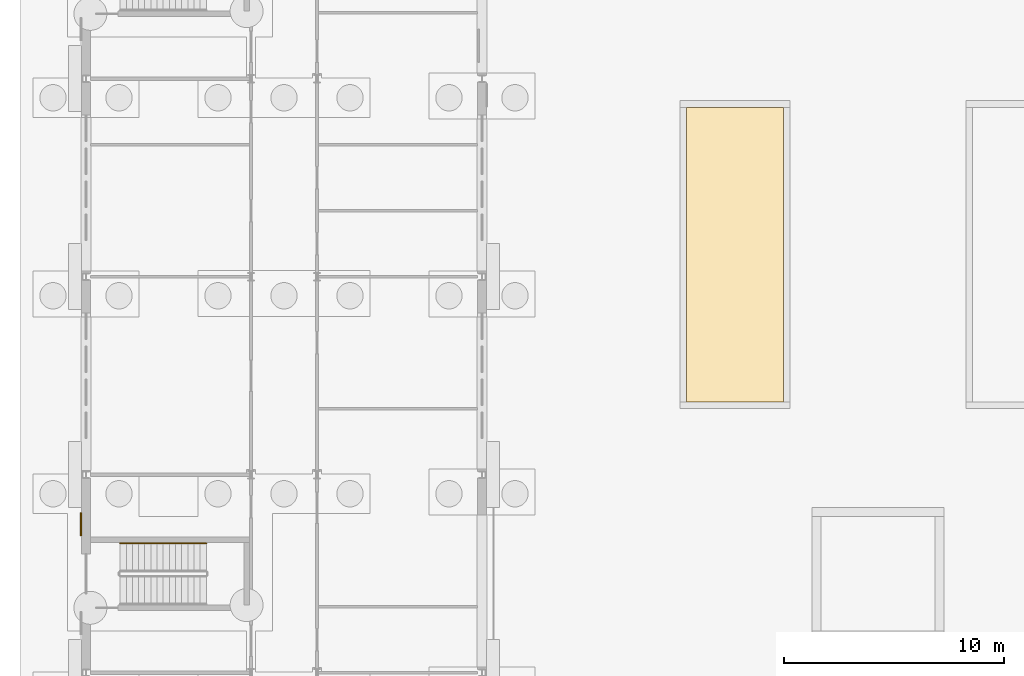
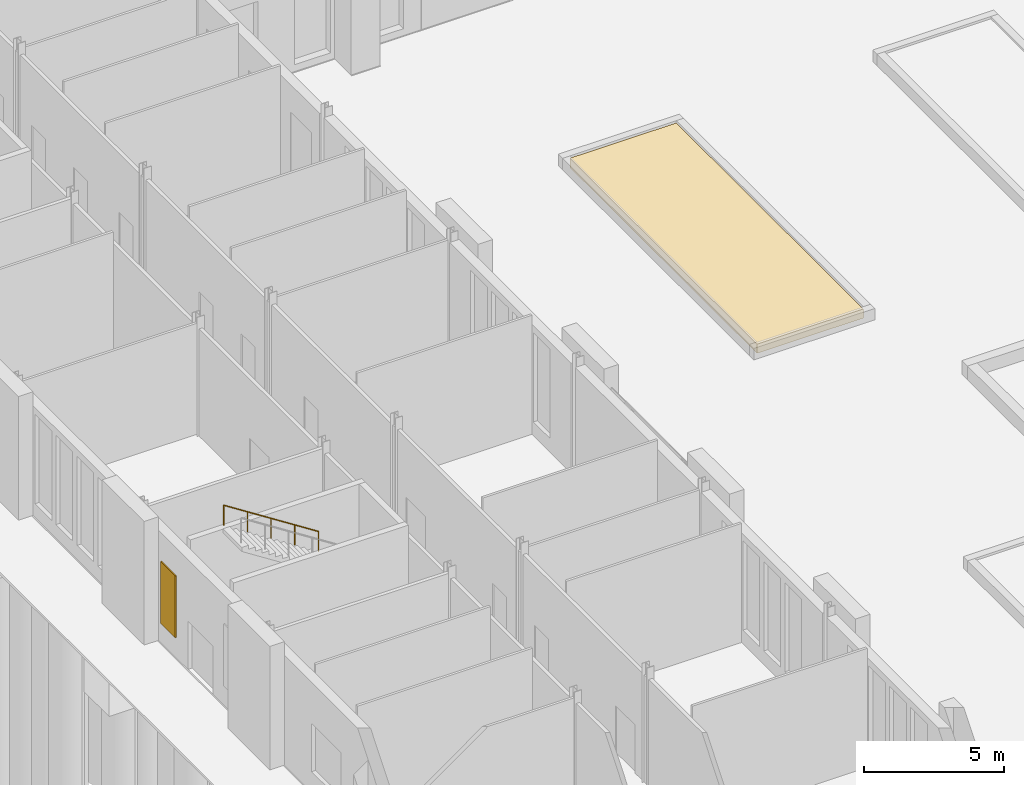
# One storey, part 137 of 168: 2 coverings, 1 railing.
"""IFC4 building model written with IfcOpenShell, lengths in metres."""

from ifc_helpers import new_model, si_unit, direction, frame, origin, origin_2d, place, context, subcontext, project, spatial, polyline, circle, outline, extrude, material, layer, layer_set, type_object, element, save


model = new_model("IFC4")

# Units and contexts
model_context = context("Model", 3, precision=1e-05, world=origin(), true_north=direction((0.0, 1.0)))
body_context = subcontext(model_context, "Body", "Model", "MODEL_VIEW")
ifc_project = project(units=[si_unit("LENGTHUNIT", "METRE"), si_unit("AREAUNIT", "SQUARE_METRE"), si_unit("VOLUMEUNIT", "CUBIC_METRE"), si_unit("PLANEANGLEUNIT", "RADIAN"), si_unit("MASSUNIT", "GRAM", prefix="KILO")], contexts=[model_context])

# Site, building, storey
site_placement = place(None, origin())
site = spatial("IfcSite", under=ifc_project, at=site_placement, CompositionType="ELEMENT")
building_placement = place(site_placement, origin())
building = spatial("IfcBuilding", under=site, at=building_placement, Name="Golden Quay Civic Hall", CompositionType="ELEMENT")
storey_placement = place(building_placement, origin())
storey = spatial("IfcBuildingStorey", under=building, at=storey_placement, Name="L00", CompositionType="ELEMENT", Elevation=0.0)

# Covering
ifc_material_1 = material(Name="Planting soil")
ifc_layer_1 = layer(ifc_material_1, 0.39990234375)
ifc_layer_set_1 = layer_set([ifc_layer_1], Name="Planting soil 400")
covering_type_1 = type_object("IfcCoveringType", Name="Planting soil 400", PredefinedType="FLOORING", material=ifc_layer_set_1)
covering_1_placement = place(storey_placement, origin())
element("IfcCovering", 1, at=covering_1_placement, inside=storey, type_object=covering_type_1, Name="Court planting West Court 2", PredefinedType="FLOORING", context=body_context, shape_type="SweptSolid", body=[
    extrude(outline(polyline([(27.300048828125, 39.300048828125), (31.699951171875, 39.300048828125), (31.699951171875, 52.699951171875), (27.300048828125, 52.699951171875), (27.300048828125, 39.300048828125)])), origin(), (0.0, 0.0, 1.0), 0.39990234375),
])

# Railing
ifc_material_2 = material(Name="Steel S355", Category="steel")
railing_type = type_object("IfcRailingType", Name="Steel handrail 900", PredefinedType="HANDRAIL", material=ifc_material_2)
railing_placement = place(storey_placement, frame((5.469970703125, 32.875, 2.8798828125)))
element("IfcRailing", 2, at=railing_placement, inside=storey, type_object=railing_type, Name="L00 WO-M stair handrail 2", PredefinedType="HANDRAIL", context=body_context, shape_type="SweptSolid", body=[
    extrude(circle(Radius=0.02392578125, at=origin_2d()), frame((0.0, 0.0, 0.8759765625), z_axis=(-0.841171666519, 0.0, 0.540768182723), x_axis=(0.0, -1.0, 0.0)), (0.0, 0.0, 1.0), 4.66015625),
    extrude(circle(Radius=0.02099609375, at=origin_2d()), origin(), (0.0, 0.0, 1.0), 0.851806640625),
    extrude(circle(Radius=0.02099609375, at=origin_2d()), frame((-0.97998046875, 0.0, 0.6298828125)), (0.0, 0.0, 1.0), 0.851806640625),
    extrude(circle(Radius=0.02099609375, at=origin_2d()), frame((-1.9599609375, 0.0, 1.260009765625)), (0.0, 0.0, 1.0), 0.851806640625),
    extrude(circle(Radius=0.02099609375, at=origin_2d()), frame((-2.93994140625, 0.0, 1.89013671875)), (0.0, 0.0, 1.0), 0.851806640625),
    extrude(circle(Radius=0.02099609375, at=origin_2d()), frame((-3.919921875, 0.0, 2.52001953125)), (0.0, 0.0, 1.0), 0.851806640625),
])

# Covering
ifc_material_3 = material(Name="Terracotta cladding, golden glaze", Category="masonry")
ifc_layer_2 = layer(ifc_material_3, 0.050048828125)
ifc_layer_set_2 = layer_set([ifc_layer_2], Name="Terracotta solid panel 1050 x 2700 x 50")
covering_type_2 = type_object("IfcCoveringType", Name="Terracotta solid panel 1050 x 2700 x 50", PredefinedType="CLADDING", material=ifc_layer_set_2)
covering_2_placement = place(storey_placement, frame((0.0, 0.0, 0.89990234375)))
element("IfcCovering", 3, at=covering_2_placement, inside=storey, type_object=covering_type_2, Name="Terracotta solid panel 1050 x 2700 x 50 L00 3", PredefinedType="CLADDING", context=body_context, shape_type="SweptSolid", body=[
    extrude(outline(polyline([(-0.199951171875, 33.22509765625), (-0.199951171875, 34.27490234375), (-0.25, 34.27490234375), (-0.25, 33.22509765625), (-0.199951171875, 33.22509765625)])), origin(), (0.0, 0.0, 1.0), 2.7001953125),
])

save(model, "model.ifc")
